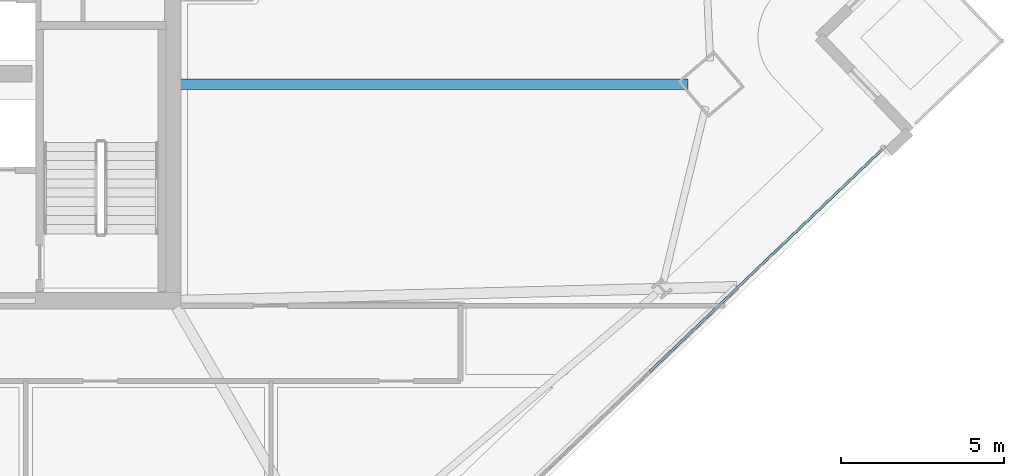
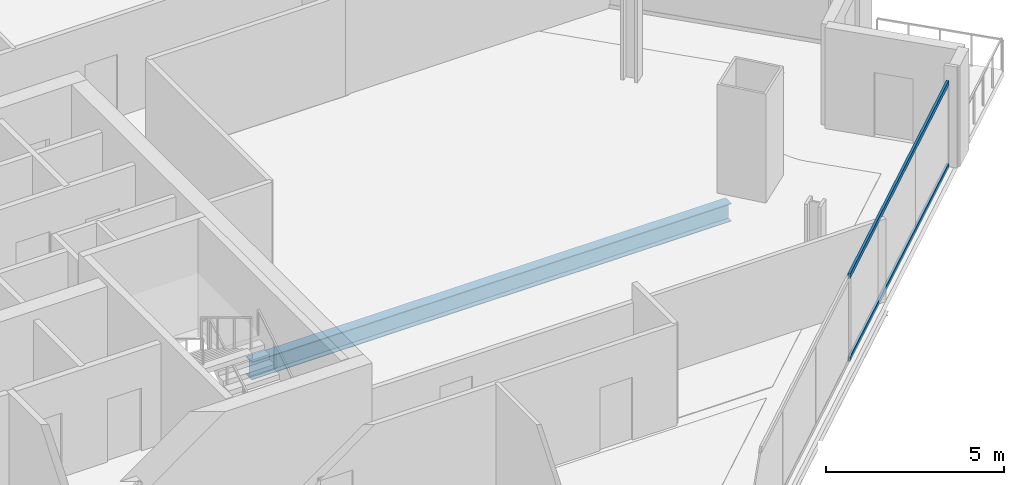
# One storey, part 11 of 33: 2 members, 1 beam, 1 element without a shape of its own.
"""IFC4 building model written with IfcOpenShell, lengths in metres."""

from ifc_helpers import new_model, si_unit, direction, frame, origin, origin_2d, place, context, subcontext, project, spatial, hollow_rectangle, i_section, extrude, material, material_profile, profile_set, type_object, element, aggregate, save


model = new_model("IFC4")

# Units and contexts
model_context = context("Model", 3, precision=1e-05, world=origin(), true_north=direction((0.0, 1.0)))
body_context = subcontext(model_context, "Body", "Model", "MODEL_VIEW")
ifc_project = project(units=[si_unit("LENGTHUNIT", "METRE"), si_unit("AREAUNIT", "SQUARE_METRE"), si_unit("VOLUMEUNIT", "CUBIC_METRE"), si_unit("PLANEANGLEUNIT", "RADIAN"), si_unit("MASSUNIT", "GRAM", prefix="KILO")], contexts=[model_context])

# Site, building, storey
site_placement = place(None, origin())
site = spatial("IfcSite", under=ifc_project, at=site_placement, CompositionType="ELEMENT")
building_placement = place(site_placement, origin())
building = spatial("IfcBuilding", under=site, at=building_placement, Name="Haldenkirk Collegiate Tower", CompositionType="ELEMENT")
storey_placement = place(building_placement, frame((0.0, 0.0, 174.449951171875)))
storey = spatial("IfcBuildingStorey", under=building, at=storey_placement, Name="L43", CompositionType="ELEMENT", Elevation=174.449951171875)

# Beam
ifc_material_1 = material(Name="Steel ASTM A992 Grade 50", Category="steel")
ifc_material_profile_1 = material_profile(ifc_material_1, i_section(OverallWidth=0.324951171875, OverallDepth=0.615966796875, WebThickness=0.013916015625, FlangeThickness=0.021484375, at=origin_2d()), Name="W24X117")
ifc_profile_set_1 = profile_set([ifc_material_profile_1], Name="Steel ASTM A992 Grade 50")
beam_type = type_object("IfcBeamType", Name="BM-GIRDER-W24X117", PredefinedType="BEAM", material=ifc_profile_set_1)
beam_placement = place(storey_placement, frame((60.760009765625, 24.62890625, -0.597900390625), z_axis=(-1.0, 0.0, 0.0), x_axis=(0.0, -1.0, 0.0)))
element("IfcBeam", 1, at=beam_placement, inside=storey, type_object=beam_type, Name="L43 primary floor girder 02", PredefinedType="BEAM", context=body_context, shape_type="SweptSolid", body=[
    extrude(i_section(OverallWidth=0.324951171875, OverallDepth=0.615966796875, WebThickness=0.013916015625, FlangeThickness=0.021484375, at=origin_2d()), origin(), (0.0, 0.0, 1.0), 15.530029296875),
])

# Curtain wall, members
ifc_material_2 = material(Name="Anodised architectural bronze aluminium", Category="aluminium")
curtain_wall_type = type_object("IfcCurtainWallType", Name="CW-SYS2-CONCAVE", PredefinedType="USERDEFINED", material=ifc_material_2)
curtain_wall_placement = place(storey_placement, origin())
curtain_wall = element("IfcCurtainWall", 2, at=curtain_wall_placement, inside=storey, type_object=curtain_wall_type, Name="L43 South concave recessed bronze-anodised curtain wall", ObjectType="UNITISED CURTAIN WALL", PredefinedType="USERDEFINED")
ifc_material_profile_2 = material_profile(ifc_material_2, hollow_rectangle(XDim=0.074951171875, YDim=0.159912109375, WallThickness=0.0048828125, at=origin_2d()), Name="CW-TRN-02")
ifc_profile_set_2 = profile_set([ifc_material_profile_2], Name="Anodised architectural bronze aluminium")
member_type = type_object("IfcMemberType", Name="CW-TRN-02", PredefinedType="USERDEFINED", material=ifc_profile_set_2)
member_1_placement = place(storey_placement, frame((66.704833984375, 22.63671875, 0.03759765625), z_axis=(-0.722965412704, -0.690884224768, 0.0), x_axis=(0.690884224768, -0.722965412704, 0.0)))
member_1 = element("IfcMember", 3, at=member_1_placement, type_object=member_type, Name="CW-02 transom 1.1", ObjectType="TRANSOM", PredefinedType="USERDEFINED", context=body_context, shape_type="SweptSolid", body=[
    extrude(hollow_rectangle(XDim=0.074951171875, YDim=0.159912109375, WallThickness=0.0048828125, at=origin_2d()), origin(), (0.0, 0.0, 1.0), 9.86279296875),
])
member_2_placement = place(storey_placement, frame((66.704833984375, 22.63671875, 2.87353515625), z_axis=(-0.722965412704, -0.690884224768, 0.0), x_axis=(0.690884224768, -0.722965412704, 0.0)))
member_2 = element("IfcMember", 4, at=member_2_placement, type_object=member_type, Name="CW-02 transom 1.2", ObjectType="TRANSOM", PredefinedType="USERDEFINED", context=body_context, shape_type="SweptSolid", body=[
    extrude(hollow_rectangle(XDim=0.074951171875, YDim=0.159912109375, WallThickness=0.0048828125, at=origin_2d()), origin(), (0.0, 0.0, 1.0), 9.86279296875),
])
aggregate(curtain_wall, [member_1, member_2])

save(model, "model.ifc")
